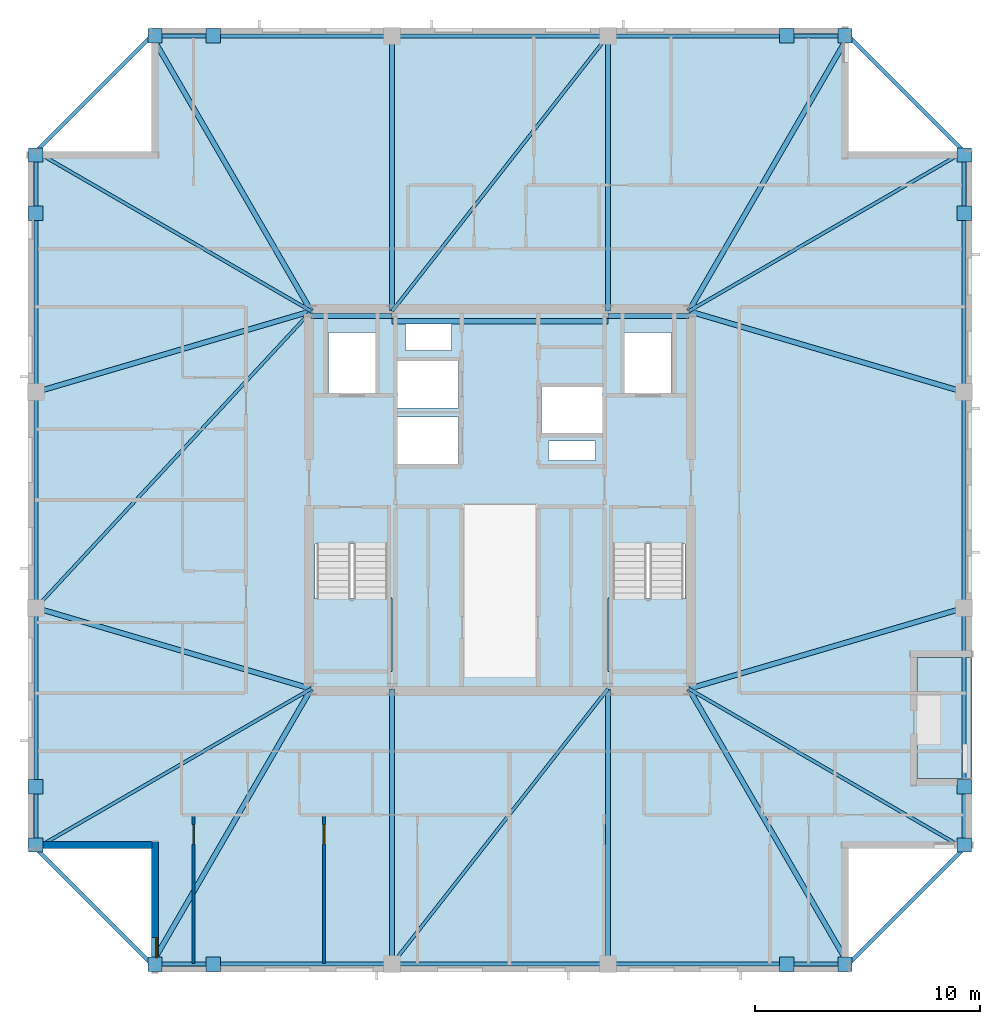
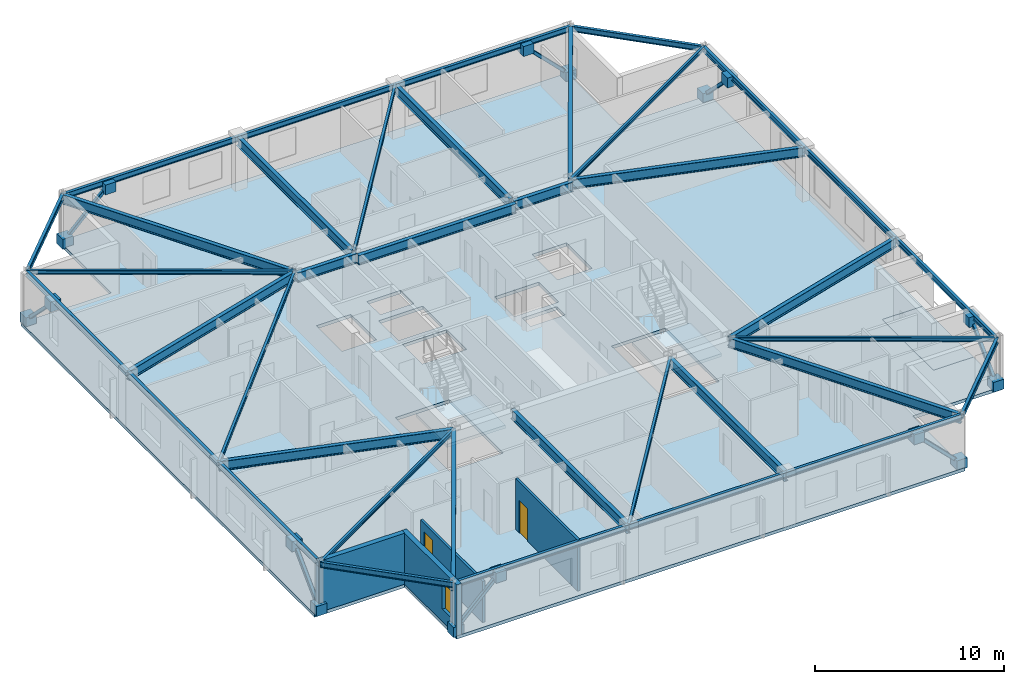
# One storey, part 6 of 15: 38 beams, 16 plates, 8 members, 4 slabs, 4 walls, 2 doors, 1 window, 3 openings, 2 elements without a shape of their own.
"""IFC4 building model written with IfcOpenShell, lengths in metres."""

from ifc_helpers import new_model, si_unit, direction, frame, frame_2d, origin, origin_2d, place, context, subcontext, project, spatial, polyline, rectangle, hollow_rectangle, i_section, outline, extrude, material, layer, layer_set, material_profile, profile_set, type_object, element, fill, aggregate, save


model = new_model("IFC4")

# Units and contexts
model_context = context("Model", 3, precision=1e-05, world=origin(), true_north=direction((0.0, 1.0)))
body_context = subcontext(model_context, "Body", "Model", "MODEL_VIEW")
ifc_project = project(units=[si_unit("LENGTHUNIT", "METRE"), si_unit("AREAUNIT", "SQUARE_METRE"), si_unit("VOLUMEUNIT", "CUBIC_METRE"), si_unit("PLANEANGLEUNIT", "RADIAN"), si_unit("MASSUNIT", "GRAM", prefix="KILO")], contexts=[model_context])

# Site, building, storey
site_placement = place(None, origin())
site = spatial("IfcSite", under=ifc_project, at=site_placement, CompositionType="ELEMENT")
building_placement = place(site_placement, origin())
building = spatial("IfcBuilding", under=site, at=building_placement, Name="Cairnveth Concourse Tower", CompositionType="ELEMENT")
storey_placement = place(building_placement, frame((0.0, 0.0, 291.0)))
storey = spatial("IfcBuildingStorey", under=building, at=storey_placement, Name="L80", CompositionType="ELEMENT", Elevation=291.0)

# Beams
ifc_material_1 = material(Name="Steel Grade 350", Category="steel")
ifc_material_profile_1 = material_profile(ifc_material_1, i_section(OverallWidth=0.22802734375, OverallDepth=0.60693359375, WebThickness=0.01123046875, FlangeThickness=0.017333984375, FilletRadius=0.013916015625, at=origin_2d()), Name="610UB113")
ifc_profile_set_1 = profile_set([ifc_material_profile_1], Name="Steel Grade 350")
beam_type_1 = type_object("IfcBeamType", Name="CORE TIE BEAM 610UB113", PredefinedType="T_BEAM", material=ifc_profile_set_1)
for number, where, z_axis, x_axis, name in (
    (1, (43.60009765625, 47.179931640625, 2.986572265625), (1.0, 0.0, 0.0), (0.0, 1.0, 0.0), "Beam CT-N1 L80"),
    (2, (56.800048828125, 47.179931640625, 2.986572265625), (1.0, 0.0, 0.0), (0.0, 1.0, 0.0), "Beam CT-N3 L80"),
):
    element("IfcBeam", number, at=place(storey_placement, frame(where, z_axis=z_axis, x_axis=x_axis)), inside=storey, type_object=beam_type_1, Name=name, PredefinedType="T_BEAM", context=body_context, shape_type="SweptSolid", body=[
        extrude(i_section(OverallWidth=0.22802734375, OverallDepth=0.60693359375, WebThickness=0.01123046875, FlangeThickness=0.017333984375, FilletRadius=0.013916015625, at=origin_2d()), origin(), (0.0, 0.0, 1.0), 3.599853515625),
    ])
beam_1_placement = place(storey_placement, frame((47.199951171875, 46.949951171875, 2.986572265625), z_axis=(1.0, 0.0, 0.0), x_axis=(0.0, 1.0, 0.0)))
element("IfcBeam", 3, at=beam_1_placement, inside=storey, type_object=beam_type_1, Name="Beam CT-N2 L80", PredefinedType="T_BEAM", context=body_context, shape_type="SweptSolid", body=[
    extrude(i_section(OverallWidth=0.22802734375, OverallDepth=0.60693359375, WebThickness=0.01123046875, FlangeThickness=0.017333984375, FilletRadius=0.013916015625, at=origin_2d()), origin(), (0.0, 0.0, 1.0), 9.60009765625),
])
ifc_material_profile_2 = material_profile(ifc_material_1, i_section(OverallWidth=0.14599609375, OverallDepth=0.256103515625, WebThickness=0.00634765625, FlangeThickness=0.010986328125, FilletRadius=0.009033203125, at=origin_2d()), Name="250UB37.3")
ifc_profile_set_2 = profile_set([ifc_material_profile_2], Name="Steel Grade 350")
beam_type_2 = type_object("IfcBeamType", Name="ZONE 4 FLOOR JOIST 250UB37.3", PredefinedType="JOIST", material=ifc_profile_set_2)
for number, where, z_axis, x_axis, name in (
    (4, (31.35009765625, 23.5, 3.162109375), (0.86518141842, 0.501458984584, 0.0), (-0.501458984584, 0.86518141842, 0.0), "Beam FJ-CSW2 L80"),
    (5, (72.64990234375, 23.5, 3.162109375), (-0.86518141842, 0.501458984584, 0.0), (-0.501458984584, -0.86518141842, 0.0), "Beam FJ-CSE2 L80"),
    (6, (72.64990234375, 54.5, 3.162109375), (-0.86518141842, -0.501458984584, 0.0), (0.501458984584, -0.86518141842, 0.0), "Beam FJ-CNE2 L80"),
    (7, (31.35009765625, 54.5, 3.162109375), (0.86518141842, -0.501458984584, 0.0), (0.501458984584, 0.86518141842, 0.0), "Beam FJ-CNW2 L80"),
):
    element("IfcBeam", number, at=place(storey_placement, frame(where, z_axis=z_axis, x_axis=x_axis)), inside=storey, type_object=beam_type_2, Name=name, PredefinedType="JOIST", context=body_context, shape_type="SweptSolid", body=[
        extrude(i_section(OverallWidth=0.14599609375, OverallDepth=0.256103515625, WebThickness=0.00634765625, FlangeThickness=0.010986328125, FilletRadius=0.009033203125, at=origin_2d()), origin(), (0.0, 0.0, 1.0), 14.158935546875),
    ])
for number, where, z_axis, x_axis, name in (
    (8, (47.199951171875, 18.35009765625, 3.162109375), (0.616831762718, 0.787095023807, 0.0), (-0.787095023807, 0.616831762718, 0.0), "Beam FJ-S-M1 L80"),
    (9, (47.199951171875, 47.39990234375, 3.162109375), (0.616831762718, 0.787095023807, 0.0), (-0.787095023807, 0.616831762718, 0.0), "Beam FJ-N-M1 L80"),
):
    element("IfcBeam", number, at=place(storey_placement, frame(where, z_axis=z_axis, x_axis=x_axis)), inside=storey, type_object=beam_type_2, Name=name, PredefinedType="JOIST", context=body_context, shape_type="SweptSolid", body=[
        extrude(i_section(OverallWidth=0.14599609375, OverallDepth=0.256103515625, WebThickness=0.00634765625, FlangeThickness=0.010986328125, FilletRadius=0.009033203125, at=origin_2d()), origin(), (0.0, 0.0, 1.0), 15.5634765625),
    ])
beam_2_placement = place(storey_placement, frame((31.35009765625, 34.199951171875, 3.162109375), z_axis=(0.680239432161, 0.732989982833, 0.0), x_axis=(-0.732989982833, 0.680239432161, 0.0)))
element("IfcBeam", 10, at=beam_2_placement, inside=storey, type_object=beam_type_2, Name="Beam FJ-W-M1 L80", PredefinedType="JOIST", context=body_context, shape_type="SweptSolid", body=[
    extrude(i_section(OverallWidth=0.14599609375, OverallDepth=0.256103515625, WebThickness=0.00634765625, FlangeThickness=0.010986328125, FilletRadius=0.009033203125, at=origin_2d()), origin(), (0.0, 0.0, 1.0), 18.00830078125),
])

# Members
ifc_material_2 = material(Name="Steel C350L0 (350 MPa)", Category="steel")
ifc_material_profile_3 = material_profile(ifc_material_2, hollow_rectangle(XDim=0.199951171875, YDim=0.199951171875, WallThickness=0.012451171875, InnerFilletRadius=0.012939453125, OuterFilletRadius=0.02490234375, at=origin_2d()), Name="200x200x12.5SHS")
ifc_profile_set_3 = profile_set([ifc_material_profile_3], Name="Steel C350L0 (350 MPa)")
member_type = type_object("IfcMemberType", Name="ZONE 4 PIER BRACE 200X200X12.5SHS", PredefinedType="BRACE", material=ifc_profile_set_3)
for number, where, z_axis, x_axis, name in (
    (11, (36.64990234375, 18.35009765625, 0.25), (0.708469186186, 0.0, 0.705741746126), (0.0, 1.0, 0.0), "Structural Brace PB-S1 L80"),
    (12, (67.35009765625, 18.35009765625, 0.25), (-0.708469186186, 0.0, 0.705741746126), (0.0, -1.0, 0.0), "Structural Brace PB-S2 L80"),
    (13, (36.64990234375, 59.64990234375, 0.25), (0.708469186186, 0.0, 0.705741746126), (0.0, 1.0, 0.0), "Structural Brace PB-N1 L80"),
    (14, (67.35009765625, 59.64990234375, 0.25), (-0.708469186186, 0.0, 0.705741746126), (0.0, -1.0, 0.0), "Structural Brace PB-N2 L80"),
    (15, (31.35009765625, 23.64990234375, 0.25), (0.0, 0.708469186186, 0.705741746126), (-1.0, 0.0, 0.0), "Structural Brace PB-W1 L80"),
    (16, (31.35009765625, 54.35009765625, 0.25), (0.0, -0.708469186186, 0.705741746126), (1.0, 0.0, 0.0), "Structural Brace PB-W2 L80"),
    (17, (72.64990234375, 23.64990234375, 0.25), (0.0, 0.708469186186, 0.705741746126), (-1.0, 0.0, 0.0), "Structural Brace PB-E1 L80"),
    (18, (72.64990234375, 54.35009765625, 0.25), (0.0, -0.708469186186, 0.705741746126), (1.0, 0.0, 0.0), "Structural Brace PB-E2 L80"),
):
    element("IfcMember", number, at=place(storey_placement, frame(where, z_axis=z_axis, x_axis=x_axis)), inside=storey, type_object=member_type, Name=name, PredefinedType="BRACE", context=body_context, shape_type="SweptSolid", body=[
        extrude(hollow_rectangle(XDim=0.199951171875, YDim=0.199951171875, WallThickness=0.012451171875, InnerFilletRadius=0.012939453125, OuterFilletRadius=0.02490234375, at=origin_2d()), origin(), (0.0, 0.0, 1.0), 3.669921875),
    ])

# Beams
ifc_material_profile_4 = material_profile(ifc_material_1, i_section(OverallWidth=0.22900390625, OverallDepth=0.612060546875, WebThickness=0.011962890625, FlangeThickness=0.01953125, FilletRadius=0.013916015625, at=origin_2d()), Name="610UB125")
ifc_profile_set_4 = profile_set([ifc_material_profile_4], Name="Steel Grade 350")
beam_type_3 = type_object("IfcBeamType", Name="ZONE 4 RADIAL GIRDER 610UB125", PredefinedType="BEAM", material=ifc_profile_set_4)
for number, where, z_axis, x_axis, name in (
    (19, (47.199951171875, 18.35009765625, 2.98388671875), (0.0, 1.0, 0.0), (-1.0, 0.0, 0.0), "Beam RG-S1 L80"),
    (20, (56.800048828125, 18.35009765625, 2.98388671875), (0.0, 1.0, 0.0), (-1.0, 0.0, 0.0), "Beam RG-S2 L80"),
    (21, (47.199951171875, 47.39990234375, 2.98388671875), (0.0, 1.0, 0.0), (-1.0, 0.0, 0.0), "Beam RG-N1 L80"),
    (22, (56.800048828125, 47.39990234375, 2.98388671875), (0.0, 1.0, 0.0), (-1.0, 0.0, 0.0), "Beam RG-N2 L80"),
):
    element("IfcBeam", number, at=place(storey_placement, frame(where, z_axis=z_axis, x_axis=x_axis)), inside=storey, type_object=beam_type_3, Name=name, PredefinedType="BEAM", context=body_context, shape_type="SweptSolid", body=[
        extrude(i_section(OverallWidth=0.22900390625, OverallDepth=0.612060546875, WebThickness=0.011962890625, FlangeThickness=0.01953125, FilletRadius=0.013916015625, at=origin_2d()), origin(), (0.0, 0.0, 1.0), 12.25),
    ])
for number, where, z_axis, x_axis, name in (
    (23, (31.35009765625, 34.199951171875, 2.98388671875), (0.959430938842, -0.281943741893, 0.0), (0.281943741893, 0.959430938842, 0.0), "Beam RG-W1 L80"),
    (24, (31.35009765625, 43.800048828125, 2.98388671875), (0.959430938842, 0.281943741893, 0.0), (-0.281943741893, 0.959430938842, 0.0), "Beam RG-W2 L80"),
    (25, (60.39990234375, 30.60009765625, 2.98388671875), (0.959430938842, 0.281943741893, 0.0), (-0.281943741893, 0.959430938842, 0.0), "Beam RG-E1 L80"),
    (26, (60.39990234375, 47.39990234375, 2.98388671875), (0.959430938842, -0.281943741893, 0.0), (0.281943741893, 0.959430938842, 0.0), "Beam RG-E2 L80"),
):
    element("IfcBeam", number, at=place(storey_placement, frame(where, z_axis=z_axis, x_axis=x_axis)), inside=storey, type_object=beam_type_3, Name=name, PredefinedType="BEAM", context=body_context, shape_type="SweptSolid", body=[
        extrude(i_section(OverallWidth=0.22900390625, OverallDepth=0.612060546875, WebThickness=0.011962890625, FlangeThickness=0.01953125, FilletRadius=0.013916015625, at=origin_2d()), origin(), (0.0, 0.0, 1.0), 12.76806640625),
    ])
for number, where, z_axis, x_axis, name in (
    (27, (36.5, 18.35009765625, 2.98388671875), (0.501458984584, 0.86518141842, 0.0), (-0.86518141842, 0.501458984584, 0.0), "Beam RG-CSW L80"),
    (28, (67.5, 18.35009765625, 2.98388671875), (-0.501458984584, 0.86518141842, 0.0), (-0.86518141842, -0.501458984584, 0.0), "Beam RG-CSE L80"),
    (29, (67.5, 59.64990234375, 2.98388671875), (-0.501458984584, -0.86518141842, 0.0), (0.86518141842, -0.501458984584, 0.0), "Beam RG-CNE L80"),
    (30, (36.5, 59.64990234375, 2.98388671875), (0.501458984584, -0.86518141842, 0.0), (0.86518141842, 0.501458984584, 0.0), "Beam RG-CNW L80"),
):
    element("IfcBeam", number, at=place(storey_placement, frame(where, z_axis=z_axis, x_axis=x_axis)), inside=storey, type_object=beam_type_3, Name=name, PredefinedType="BEAM", context=body_context, shape_type="SweptSolid", body=[
        extrude(i_section(OverallWidth=0.22900390625, OverallDepth=0.612060546875, WebThickness=0.011962890625, FlangeThickness=0.01953125, FilletRadius=0.013916015625, at=origin_2d()), origin(), (0.0, 0.0, 1.0), 14.158935546875),
    ])
ifc_material_profile_5 = material_profile(ifc_material_1, i_section(OverallWidth=0.172119140625, OverallDepth=0.35888671875, WebThickness=0.008056640625, FlangeThickness=0.012939453125, FilletRadius=0.010986328125, at=origin_2d()), Name="360UB56.7")
ifc_profile_set_5 = profile_set([ifc_material_profile_5], Name="Steel Grade 350")
beam_type_4 = type_object("IfcBeamType", Name="ZONE 4 SPANDREL BEAM 360UB56.7", PredefinedType="SPANDREL", material=ifc_profile_set_5)
beam_3_placement = place(storey_placement, frame((36.5, 18.35009765625, 3.110595703125), z_axis=(1.0, 0.0, 0.0), x_axis=(0.0, 1.0, 0.0)))
element("IfcBeam", 31, at=beam_3_placement, inside=storey, type_object=beam_type_4, Name="Beam SP-S1 L80", PredefinedType="SPANDREL", context=body_context, shape_type="SweptSolid", body=[
    extrude(i_section(OverallWidth=0.172119140625, OverallDepth=0.35888671875, WebThickness=0.008056640625, FlangeThickness=0.012939453125, FilletRadius=0.010986328125, at=origin_2d()), origin(), (0.0, 0.0, 1.0), 10.699951171875),
])
beam_4_placement = place(storey_placement, frame((47.199951171875, 18.35009765625, 3.110595703125), z_axis=(1.0, 0.0, 0.0), x_axis=(0.0, 1.0, 0.0)))
element("IfcBeam", 32, at=beam_4_placement, inside=storey, type_object=beam_type_4, Name="Beam SP-S2 L80", PredefinedType="SPANDREL", context=body_context, shape_type="SweptSolid", body=[
    extrude(i_section(OverallWidth=0.172119140625, OverallDepth=0.35888671875, WebThickness=0.008056640625, FlangeThickness=0.012939453125, FilletRadius=0.010986328125, at=origin_2d()), origin(), (0.0, 0.0, 1.0), 9.60009765625),
])
for number, where, z_axis, x_axis, name in (
    (33, (56.800048828125, 18.35009765625, 3.110595703125), (1.0, 0.0, 0.0), (0.0, 1.0, 0.0), "Beam SP-S3 L80"),
    (34, (36.5, 59.64990234375, 3.110595703125), (1.0, 0.0, 0.0), (0.0, 1.0, 0.0), "Beam SP-N1 L80"),
):
    element("IfcBeam", number, at=place(storey_placement, frame(where, z_axis=z_axis, x_axis=x_axis)), inside=storey, type_object=beam_type_4, Name=name, PredefinedType="SPANDREL", context=body_context, shape_type="SweptSolid", body=[
        extrude(i_section(OverallWidth=0.172119140625, OverallDepth=0.35888671875, WebThickness=0.008056640625, FlangeThickness=0.012939453125, FilletRadius=0.010986328125, at=origin_2d()), origin(), (0.0, 0.0, 1.0), 10.699951171875),
    ])
beam_5_placement = place(storey_placement, frame((47.199951171875, 59.64990234375, 3.110595703125), z_axis=(1.0, 0.0, 0.0), x_axis=(0.0, 1.0, 0.0)))
element("IfcBeam", 35, at=beam_5_placement, inside=storey, type_object=beam_type_4, Name="Beam SP-N2 L80", PredefinedType="SPANDREL", context=body_context, shape_type="SweptSolid", body=[
    extrude(i_section(OverallWidth=0.172119140625, OverallDepth=0.35888671875, WebThickness=0.008056640625, FlangeThickness=0.012939453125, FilletRadius=0.010986328125, at=origin_2d()), origin(), (0.0, 0.0, 1.0), 9.60009765625),
])
for number, where, z_axis, x_axis, name in (
    (36, (56.800048828125, 59.64990234375, 3.110595703125), (1.0, 0.0, 0.0), (0.0, 1.0, 0.0), "Beam SP-N3 L80"),
    (37, (31.35009765625, 23.5, 3.110595703125), (0.0, 1.0, 0.0), (-1.0, 0.0, 0.0), "Beam SP-W1 L80"),
):
    element("IfcBeam", number, at=place(storey_placement, frame(where, z_axis=z_axis, x_axis=x_axis)), inside=storey, type_object=beam_type_4, Name=name, PredefinedType="SPANDREL", context=body_context, shape_type="SweptSolid", body=[
        extrude(i_section(OverallWidth=0.172119140625, OverallDepth=0.35888671875, WebThickness=0.008056640625, FlangeThickness=0.012939453125, FilletRadius=0.010986328125, at=origin_2d()), origin(), (0.0, 0.0, 1.0), 10.699951171875),
    ])
beam_6_placement = place(storey_placement, frame((31.35009765625, 34.199951171875, 3.110595703125), z_axis=(0.0, 1.0, 0.0), x_axis=(-1.0, 0.0, 0.0)))
element("IfcBeam", 38, at=beam_6_placement, inside=storey, type_object=beam_type_4, Name="Beam SP-W2 L80", PredefinedType="SPANDREL", context=body_context, shape_type="SweptSolid", body=[
    extrude(i_section(OverallWidth=0.172119140625, OverallDepth=0.35888671875, WebThickness=0.008056640625, FlangeThickness=0.012939453125, FilletRadius=0.010986328125, at=origin_2d()), origin(), (0.0, 0.0, 1.0), 9.60009765625),
])
for number, where, z_axis, x_axis, name in (
    (39, (31.35009765625, 43.800048828125, 3.110595703125), (0.0, 1.0, 0.0), (-1.0, 0.0, 0.0), "Beam SP-W3 L80"),
    (40, (72.64990234375, 23.5, 3.110595703125), (0.0, 1.0, 0.0), (-1.0, 0.0, 0.0), "Beam SP-E1 L80"),
):
    element("IfcBeam", number, at=place(storey_placement, frame(where, z_axis=z_axis, x_axis=x_axis)), inside=storey, type_object=beam_type_4, Name=name, PredefinedType="SPANDREL", context=body_context, shape_type="SweptSolid", body=[
        extrude(i_section(OverallWidth=0.172119140625, OverallDepth=0.35888671875, WebThickness=0.008056640625, FlangeThickness=0.012939453125, FilletRadius=0.010986328125, at=origin_2d()), origin(), (0.0, 0.0, 1.0), 10.699951171875),
    ])
beam_7_placement = place(storey_placement, frame((72.64990234375, 34.199951171875, 3.110595703125), z_axis=(0.0, 1.0, 0.0), x_axis=(-1.0, 0.0, 0.0)))
element("IfcBeam", 41, at=beam_7_placement, inside=storey, type_object=beam_type_4, Name="Beam SP-E2 L80", PredefinedType="SPANDREL", context=body_context, shape_type="SweptSolid", body=[
    extrude(i_section(OverallWidth=0.172119140625, OverallDepth=0.35888671875, WebThickness=0.008056640625, FlangeThickness=0.012939453125, FilletRadius=0.010986328125, at=origin_2d()), origin(), (0.0, 0.0, 1.0), 9.60009765625),
])
beam_8_placement = place(storey_placement, frame((72.64990234375, 43.800048828125, 3.110595703125), z_axis=(0.0, 1.0, 0.0), x_axis=(-1.0, 0.0, 0.0)))
element("IfcBeam", 42, at=beam_8_placement, inside=storey, type_object=beam_type_4, Name="Beam SP-E3 L80", PredefinedType="SPANDREL", context=body_context, shape_type="SweptSolid", body=[
    extrude(i_section(OverallWidth=0.172119140625, OverallDepth=0.35888671875, WebThickness=0.008056640625, FlangeThickness=0.012939453125, FilletRadius=0.010986328125, at=origin_2d()), origin(), (0.0, 0.0, 1.0), 10.699951171875),
])
for number, where, z_axis, x_axis, name in (
    (43, (31.35009765625, 23.5, 3.110595703125), (0.707106781187, -0.707106781187, 0.0), (0.707106781187, 0.707106781187, 0.0), "Beam SP-SW L80"),
    (44, (67.5, 18.35009765625, 3.110595703125), (0.707106781187, 0.707106781187, 0.0), (-0.707106781187, 0.707106781187, 0.0), "Beam SP-SE L80"),
    (45, (67.5, 59.64990234375, 3.110595703125), (0.707106781187, -0.707106781187, 0.0), (0.707106781187, 0.707106781187, 0.0), "Beam SP-NE L80"),
    (46, (31.35009765625, 54.5, 3.110595703125), (0.707106781187, 0.707106781187, 0.0), (-0.707106781187, 0.707106781187, 0.0), "Beam SP-NW L80"),
):
    element("IfcBeam", number, at=place(storey_placement, frame(where, z_axis=z_axis, x_axis=x_axis)), inside=storey, type_object=beam_type_4, Name=name, PredefinedType="SPANDREL", context=body_context, shape_type="SweptSolid", body=[
        extrude(i_section(OverallWidth=0.172119140625, OverallDepth=0.35888671875, WebThickness=0.008056640625, FlangeThickness=0.012939453125, FilletRadius=0.010986328125, at=origin_2d()), origin(), (0.0, 0.0, 1.0), 7.282958984375),
    ])

# Plates
ifc_layer_1 = layer(ifc_material_1, 0.031982421875)
ifc_layer_set_1 = layer_set([ifc_layer_1], Name="Steel Grade 350")
plate_type = type_object("IfcPlateType", Name="PERIMETER BRACE GUSSET PLATE 32", PredefinedType="USERDEFINED", material=ifc_layer_set_1)
for number, where, z_axis, x_axis, name in (
    (47, (36.64990234375, 18.35009765625, -0.06982421875), (0.0, 0.0, 1.0), (1.0, 0.0, 0.0), "Structural Node Plate 1417 L80"),
    (48, (39.25, 18.35009765625, 2.52001953125), (0.0, 0.0, 1.0), (1.0, 0.0, 0.0), "Structural Node Plate 1418 L80"),
    (49, (67.35009765625, 18.35009765625, -0.06982421875), (0.0, 0.0, 1.0), (1.0, 0.0, 0.0), "Structural Node Plate 1419 L80"),
    (50, (64.75, 18.35009765625, 2.52001953125), (0.0, 0.0, 1.0), (1.0, 0.0, 0.0), "Structural Node Plate 1420 L80"),
    (51, (36.64990234375, 59.64990234375, -0.06982421875), (0.0, 0.0, 1.0), (1.0, 0.0, 0.0), "Structural Node Plate 1421 L80"),
    (52, (39.25, 59.64990234375, 2.52001953125), (0.0, 0.0, 1.0), (1.0, 0.0, 0.0), "Structural Node Plate 1422 L80"),
    (53, (67.35009765625, 59.64990234375, -0.06982421875), (0.0, 0.0, 1.0), (1.0, 0.0, 0.0), "Structural Node Plate 1423 L80"),
    (54, (64.75, 59.64990234375, 2.52001953125), (0.0, 0.0, 1.0), (1.0, 0.0, 0.0), "Structural Node Plate 1424 L80"),
    (55, (31.35009765625, 23.64990234375, -0.06982421875), (0.0, 0.0, 1.0), (1.0, 0.0, 0.0), "Structural Node Plate 1425 L80"),
    (56, (31.35009765625, 26.25, 2.52001953125), (0.0, 0.0, 1.0), (1.0, 0.0, 0.0), "Structural Node Plate 1426 L80"),
    (57, (31.35009765625, 54.35009765625, -0.06982421875), (0.0, 0.0, 1.0), (1.0, 0.0, 0.0), "Structural Node Plate 1427 L80"),
    (58, (31.35009765625, 51.75, 2.52001953125), (0.0, 0.0, 1.0), (1.0, 0.0, 0.0), "Structural Node Plate 1428 L80"),
    (59, (72.64990234375, 23.64990234375, -0.06982421875), (0.0, 0.0, 1.0), (1.0, 0.0, 0.0), "Structural Node Plate 1429 L80"),
    (60, (72.64990234375, 26.25, 2.52001953125), (0.0, 0.0, 1.0), (1.0, 0.0, 0.0), "Structural Node Plate 1430 L80"),
    (61, (72.64990234375, 54.35009765625, -0.06982421875), (0.0, 0.0, 1.0), (1.0, 0.0, 0.0), "Structural Node Plate 1431 L80"),
    (62, (72.64990234375, 51.75, 2.52001953125), (0.0, 0.0, 1.0), (1.0, 0.0, 0.0), "Structural Node Plate 1432 L80"),
):
    element("IfcPlate", number, at=place(storey_placement, frame(where, z_axis=z_axis, x_axis=x_axis)), inside=storey, type_object=plate_type, Name=name, ObjectType="GUSSET PLATE", PredefinedType="USERDEFINED", context=body_context, shape_type="SweptSolid", body=[
        extrude(rectangle(XDim=0.639892578125, YDim=0.639892578125, at=origin_2d()), origin(), (0.0, 0.0, 1.0), 0.639892578125),
    ])

# Slab
ifc_material_3 = material(Name="Concrete N50 (50 MPa)", Category="concrete")
ifc_layer_2 = layer(ifc_material_3, 0.18994140625)
ifc_layer_set_2 = layer_set([ifc_layer_2], Name="Concrete N50 (50 MPa)")
slab_type_1 = type_object("IfcSlabType", Name="SPIRAL OUTDOOR TERRACE SLAB 190", PredefinedType="FLOOR", material=ifc_layer_set_2)
slab_1_placement = place(storey_placement, frame((0.0, 0.0, -0.18994140625)))
element("IfcSlab", 63, at=slab_1_placement, inside=storey, type_object=slab_type_1, Name="Spiral Terrace Slab L80", PredefinedType="FLOOR", context=body_context, shape_type="SweptSolid", body=[
    extrude(outline(polyline([(70.550048828125, 26.60009765625), (73.0, 26.60009765625), (73.0, 32.0), (70.550048828125, 32.0), (70.550048828125, 26.60009765625)])), origin(), (0.0, 0.0, 1.0), 0.18994140625),
])

# Stair, slab
ifc_material_4 = material(Name="Precast concrete N50 (50 MPa)", Category="concrete")
stair_type = type_object("IfcStairType", Name="CORE DOG-LEG FIRE STAIR 1500", PredefinedType="HALF_TURN_STAIR", material=ifc_material_4)
stair_1_placement = place(storey_placement, origin())
stair_1 = element("IfcStair", 64, at=stair_1_placement, inside=storey, type_object=stair_type, Name="L80 Fire-Isolated Stair ST-1", PredefinedType="HALF_TURN_STAIR")
ifc_layer_3 = layer(ifc_material_3, 0.199951171875)
ifc_layer_set_3 = layer_set([ifc_layer_3], Name="Concrete N50 (50 MPa)")
slab_type_2 = type_object("IfcSlabType", Name="STAIR HALF LANDING SLAB 200", PredefinedType="LANDING", material=ifc_layer_set_3)
slab_2_placement = place(storey_placement, frame((0.0, 0.0, 1.550048828125)))
slab_2 = element("IfcSlab", 65, at=slab_2_placement, type_object=slab_type_2, Name="ST-1 landing 1", PredefinedType="LANDING", context=body_context, shape_type="SweptSolid", body=[
    extrude(outline(polyline([(43.6201171875, 34.639892578125), (43.6201171875, 31.3701171875), (47.199951171875, 31.3701171875), (47.199951171875, 34.639892578125), (43.6201171875, 34.639892578125)])), origin(), (0.0, 0.0, 1.0), 0.199951171875),
])
aggregate(stair_1, [slab_2])

stair_2_placement = place(storey_placement, origin())
stair_2 = element("IfcStair", 66, at=stair_2_placement, inside=storey, type_object=stair_type, Name="L80 Fire-Isolated Stair ST-2", PredefinedType="HALF_TURN_STAIR")
slab_3_placement = place(storey_placement, frame((0.0, 0.0, 1.550048828125)))
slab_3 = element("IfcSlab", 67, at=slab_3_placement, type_object=slab_type_2, Name="ST-2 landing 1", PredefinedType="LANDING", context=body_context, shape_type="SweptSolid", body=[
    extrude(outline(polyline([(56.800048828125, 34.639892578125), (56.800048828125, 31.3701171875), (60.3798828125, 31.3701171875), (60.3798828125, 34.639892578125), (56.800048828125, 34.639892578125)])), origin(), (0.0, 0.0, 1.0), 0.199951171875),
])
aggregate(stair_2, [slab_3])

# Slab
ifc_layer_4 = layer(ifc_material_3, 0.2099609375)
ifc_layer_set_4 = layer_set([ifc_layer_4], Name="Concrete N50 (50 MPa)")
slab_type_3 = type_object("IfcSlabType", Name="UPPER TOWER COMPOSITE SLAB 210", PredefinedType="FLOOR", material=ifc_layer_set_4)
slab_4_placement = place(storey_placement, frame((0.0, 0.0, -0.2099609375)))
element("IfcSlab", 68, at=slab_4_placement, inside=storey, type_object=slab_type_3, Name="Tower Floor Slab L80", PredefinedType="FLOOR", context=body_context, shape_type="SweptSolid", body=[
    extrude(outline(polyline([(73.0, 26.60009765625), (70.550048828125, 26.60009765625), (70.550048828125, 32.0), (73.0, 32.0), (73.0, 54.5), (67.5, 54.5), (67.5, 60.0), (36.5, 60.0), (36.5, 54.5), (31.0, 54.5), (31.0, 23.5), (36.5, 23.5), (36.5, 18.0), (67.5, 18.0), (67.5, 23.5), (73.0, 23.5), (73.0, 26.60009765625)]), holes=[polyline([(43.760009765625, 31.360107421875), (47.06005859375, 31.360107421875), (47.06005859375, 37.0400390625), (43.760009765625, 37.0400390625), (43.760009765625, 31.360107421875)]), polyline([(56.93994140625, 31.360107421875), (60.239990234375, 31.360107421875), (60.239990234375, 37.0400390625), (56.93994140625, 37.0400390625), (56.93994140625, 31.360107421875)]), polyline([(44.3701171875, 43.75), (46.469970703125, 43.75), (46.469970703125, 46.449951171875), (44.3701171875, 46.449951171875), (44.3701171875, 43.75)]), polyline([(57.530029296875, 43.75), (59.6298828125, 43.75), (59.6298828125, 46.449951171875), (57.530029296875, 46.449951171875), (57.530029296875, 43.75)]), polyline([(47.449951171875, 40.60009765625), (50.14990234375, 40.60009765625), (50.14990234375, 42.699951171875), (47.449951171875, 42.699951171875), (47.449951171875, 40.60009765625)]), polyline([(47.449951171875, 43.10009765625), (50.14990234375, 43.10009765625), (50.14990234375, 45.199951171875), (47.449951171875, 45.199951171875), (47.449951171875, 43.10009765625)]), polyline([(53.85009765625, 41.949951171875), (56.550048828125, 41.949951171875), (56.550048828125, 44.050048828125), (53.85009765625, 44.050048828125), (53.85009765625, 41.949951171875)]), polyline([(47.800048828125, 45.64990234375), (49.85009765625, 45.64990234375), (49.85009765625, 47.050048828125), (47.800048828125, 47.050048828125), (47.800048828125, 45.64990234375)]), polyline([(54.14990234375, 40.75), (56.25, 40.75), (56.25, 41.6201171875), (54.14990234375, 41.6201171875), (54.14990234375, 40.75)])]), origin(), (0.0, 0.0, 1.0), 0.2099609375),
])

# Wall, opening, door
ifc_material_5 = material(Name="Gypsum Plasterboard Partition", Category="gypsum")
ifc_layer_5 = layer(ifc_material_5, 0.139892578125)
ifc_layer_set_5 = layer_set([ifc_layer_5], Name="Gypsum Plasterboard Partition")
wall_type_1 = type_object("IfcWallType", Name="GYPSUM STUD PARTITION 140", PredefinedType="PARTITIONING", material=ifc_layer_set_5)
wall_1_placement = place(storey_placement, frame((38.3701171875, 18.3798828125, 0.0), z_axis=(0.0, 0.0, 1.0), x_axis=(0.0, 1.0, 0.0)))
wall_1 = element("IfcWall", 69, at=wall_1_placement, inside=storey, type_object=wall_type_1, Name="Interior Wall IW-L80-050", PredefinedType="PARTITIONING", context=body_context, shape_type="SweptSolid", body=[
    extrude(rectangle(XDim=6.5625, YDim=0.139892578125, at=frame_2d((3.28125, 0.0))), origin(), (0.0, 0.0, 1.0), 2.653076171875),
])
opening_1_placement = place(wall_1_placement, frame((5.302490234375, 0.0, 0.0)))
opening_1 = element("IfcOpeningElement", 70, at=opening_1_placement, cuts=wall_1, Name="Opening ID18", PredefinedType="OPENING", context=body_context, shape_type="SweptSolid", body=[
    extrude(rectangle(XDim=0.8798828125, YDim=2.10009765625, at=frame_2d((0.43994140625, 1.050048828125))), frame((0.0, 0.079833984375, 0.0), z_axis=(0.0, -1.0, 0.0), x_axis=(1.0, 0.0, 0.0)), (0.0, 0.0, 1.0), 0.159912109375),
])
ifc_material_6 = material(Name="Solid Core Hardwood Timber Leaf", Category="wood")
door_type = type_object("IfcDoorType", Name="INTERIOR SINGLE DOOR 880X2100", OperationType="NOTDEFINED", PredefinedType="DOOR", material=ifc_material_6)
door_1_placement = place(opening_1_placement, origin())
door_1 = element("IfcDoor", 71, at=door_1_placement, inside=storey, type_object=door_type, Name="L80PS1 Master Bedroom Door", OperationType="SINGLE_SWING_RIGHT", OverallHeight=2.10009765625, OverallWidth=0.8798828125, PredefinedType="DOOR", context=body_context, shape_type="SweptSolid", body=[
    extrude(rectangle(XDim=0.8798828125, YDim=2.10009765625, at=frame_2d((0.43994140625, 1.050048828125))), frame((0.0, 0.02490234375, 0.0), z_axis=(0.0, -1.0, 0.0), x_axis=(1.0, 0.0, 0.0)), (0.0, 0.0, 1.0), 0.050048828125),
])
fill(opening_1, door_1)

wall_2_placement = place(storey_placement, frame((44.169921875, 18.3798828125, 0.0), z_axis=(0.0, 0.0, 1.0), x_axis=(0.0, 1.0, 0.0)))
wall_2 = element("IfcWall", 72, at=wall_2_placement, inside=storey, type_object=wall_type_1, Name="Interior Wall IW-L80-053", PredefinedType="PARTITIONING", context=body_context, shape_type="SweptSolid", body=[
    extrude(rectangle(XDim=6.5625, YDim=0.139892578125, at=frame_2d((3.28125, 0.0))), origin(), (0.0, 0.0, 1.0), 3.2900390625),
])
opening_2_placement = place(wall_2_placement, frame((5.302490234375, 0.0, 0.0)))
opening_2 = element("IfcOpeningElement", 73, at=opening_2_placement, cuts=wall_2, Name="Opening ID18", PredefinedType="OPENING", context=body_context, shape_type="SweptSolid", body=[
    extrude(rectangle(XDim=0.8798828125, YDim=2.10009765625, at=frame_2d((0.43994140625, 1.050048828125))), frame((0.0, 0.079833984375, 0.0), z_axis=(0.0, -1.0, 0.0), x_axis=(1.0, 0.0, 0.0)), (0.0, 0.0, 1.0), 0.159912109375),
])
door_2_placement = place(opening_2_placement, origin())
door_2 = element("IfcDoor", 74, at=door_2_placement, inside=storey, type_object=door_type, Name="L80PS1 Media Lounge Door", OperationType="SINGLE_SWING_LEFT", OverallHeight=2.10009765625, OverallWidth=0.8798828125, PredefinedType="DOOR", context=body_context, shape_type="SweptSolid", body=[
    extrude(rectangle(XDim=0.8798828125, YDim=2.10009765625, at=frame_2d((0.43994140625, 1.050048828125))), frame((0.0, 0.02490234375, 0.0), z_axis=(0.0, -1.0, 0.0), x_axis=(1.0, 0.0, 0.0)), (0.0, 0.0, 1.0), 0.050048828125),
])
fill(opening_2, door_2)

# Wall, opening, window
ifc_material_7 = material(Name="Hawthorn Red-Ochre Fired Clay Brick Masonry", Category="masonry")
ifc_layer_6 = layer(ifc_material_7, 0.300048828125)
ifc_layer_set_6 = layer_set([ifc_layer_6], Name="Hawthorn Red-Ochre Fired Clay Brick Masonry")
wall_type_2 = type_object("IfcWallType", Name="ZONE 4 BRICK PIER SPANDREL WALL 300", PredefinedType="SOLIDWALL", material=ifc_layer_set_6)
wall_3_placement = place(storey_placement, frame((36.64990234375, 18.0, 0.0), z_axis=(0.0, 0.0, 1.0), x_axis=(0.0, 1.0, 0.0)))
wall_3 = element("IfcWall", 75, at=wall_3_placement, inside=storey, type_object=wall_type_2, Name="Exterior Wall EW-L80-S04", PredefinedType="SOLIDWALL", context=body_context, shape_type="SweptSolid", body=[
    extrude(rectangle(XDim=5.800048828125, YDim=0.300048828125, at=frame_2d((2.89990234375, 0.0))), origin(), (0.0, 0.0, 1.0), 3.2900390625),
])
opening_3_placement = place(wall_3_placement, frame((0.6298828125, 0.0, 0.800048828125)))
opening_3 = element("IfcOpeningElement", 76, at=opening_3_placement, cuts=wall_3, Name="Opening W13", PredefinedType="OPENING", context=body_context, shape_type="SweptSolid", body=[
    extrude(rectangle(XDim=0.89990234375, YDim=1.75, at=frame_2d((0.449951171875, 0.875))), frame((0.0, 0.159912109375, 0.0), z_axis=(0.0, -1.0, 0.0), x_axis=(1.0, 0.0, 0.0)), (0.0, 0.0, 1.0), 0.320068359375),
])
ifc_material_8 = material(Name="Double Glazed Low-E Clear Glass", Category="glass")
window_type = type_object("IfcWindowType", Name="DEEP-SET BEDROOM LANCET WINDOW 900X1750", PartitioningType="DOUBLE_PANEL_VERTICAL", PredefinedType="WINDOW", material=ifc_material_8)
window_placement = place(opening_3_placement, origin())
window = element("IfcWindow", 77, at=window_placement, inside=storey, type_object=window_type, Name="Dwelling Lancet Window L80-DW1", OverallHeight=1.75, OverallWidth=0.89990234375, PartitioningType="SINGLE_PANEL", PredefinedType="WINDOW", context=body_context, shape_type="SweptSolid", body=[
    extrude(rectangle(XDim=0.89990234375, YDim=1.75, at=frame_2d((0.449951171875, 0.875))), frame((0.0, -0.0400390625, 0.0), z_axis=(0.0, -1.0, 0.0), x_axis=(1.0, 0.0, 0.0)), (0.0, 0.0, 1.0), 0.06005859375),
])
fill(opening_3, window)

# Wall
wall_4_placement = place(storey_placement, frame((36.52197265625, 23.64990234375, 0.0), z_axis=(0.0, 0.0, 1.0), x_axis=(-1.0, 0.0, 0.0)))
element("IfcWall", 78, at=wall_4_placement, inside=storey, type_object=wall_type_2, Name="Exterior Wall EW-L80-S05", PredefinedType="SOLIDWALL", context=body_context, shape_type="SweptSolid", body=[
    extrude(rectangle(XDim=5.243896484375, YDim=0.300048828125, at=frame_2d((2.6220703125, 0.0))), origin(), (0.0, 0.0, 1.0), 3.2900390625),
])

save(model, "model.ifc")
